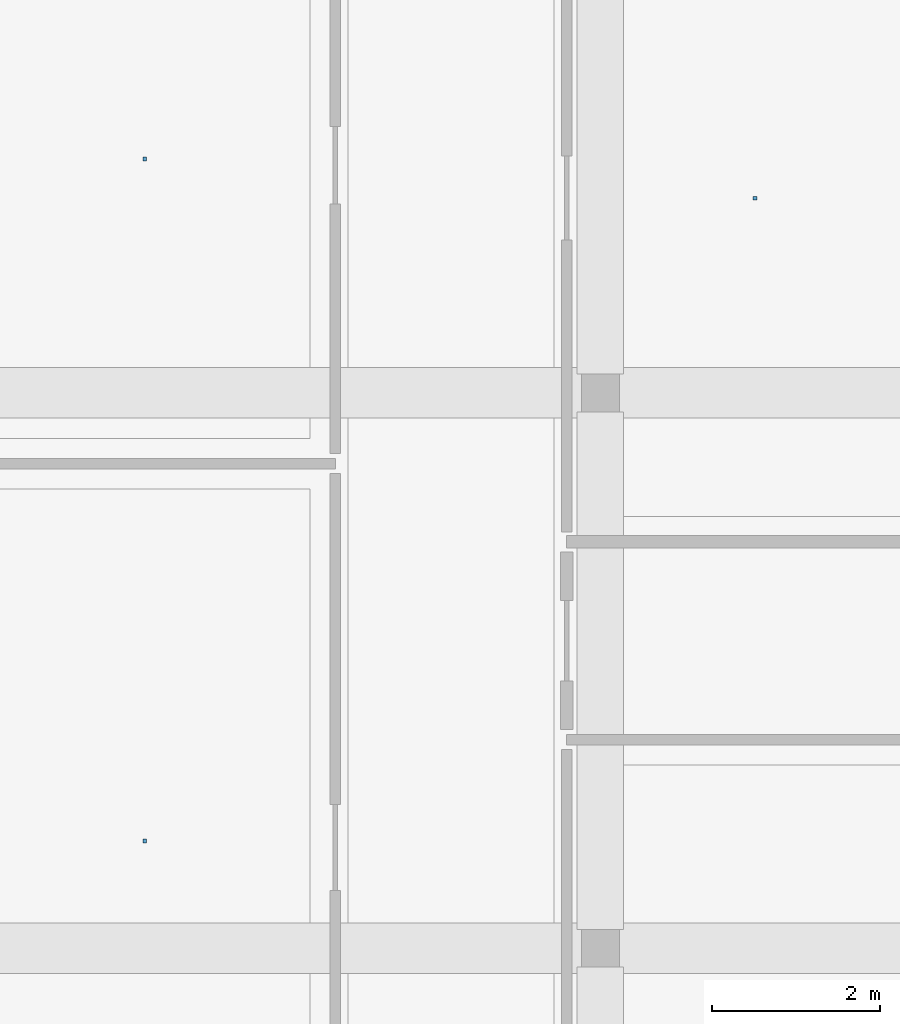
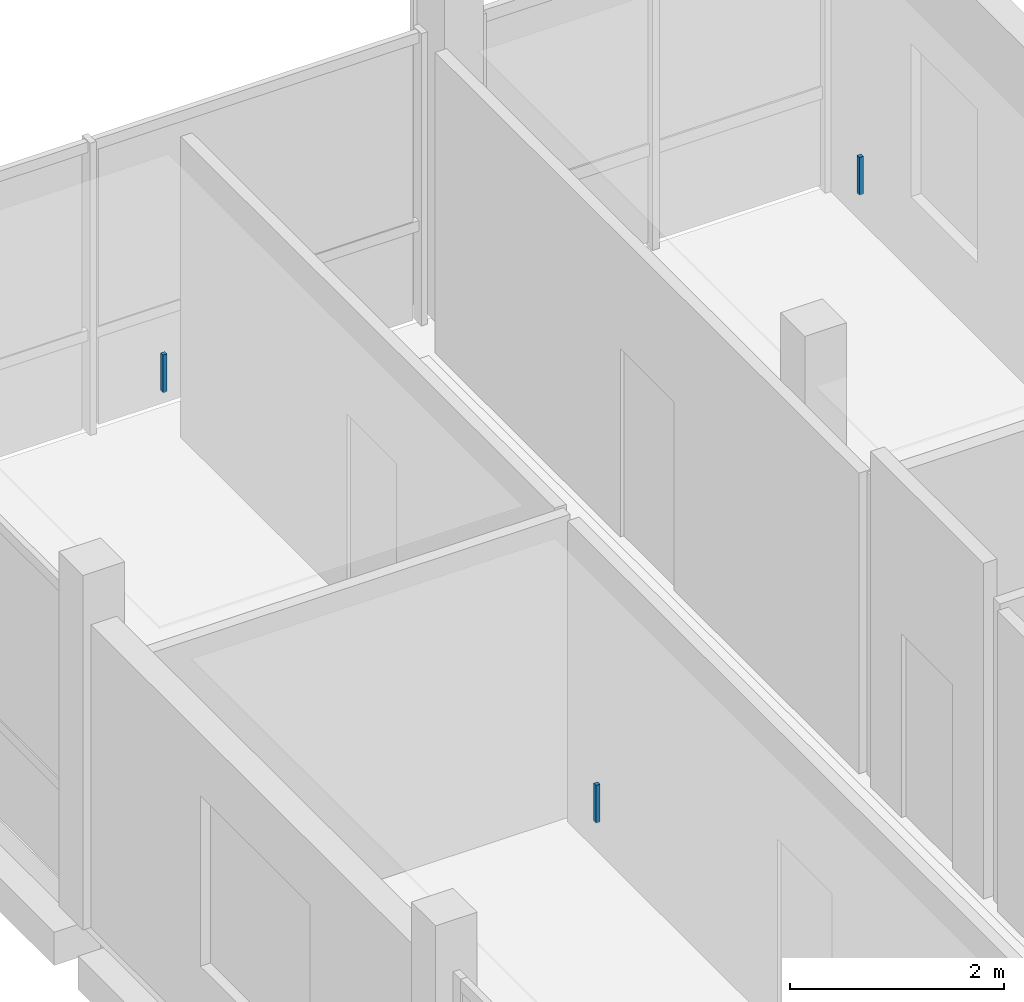
# One storey, part 40 of 48: 3 discrete accessories.
"""IFC4 building model written with IfcOpenShell, lengths in metres."""

from ifc_helpers import new_model, si_unit, derived_unit, direction, frame, origin, origin_2d, place, context, subcontext, project, spatial, rectangle, extrude, material, type_object, element, save


model = new_model("IFC4")

# Units and contexts
model_context = context("Model", 3, precision=1e-05, world=origin(), true_north=direction((0.0, 1.0)))
body_context = subcontext(model_context, "Body", "Model", "MODEL_VIEW")
ifc_project = project(units=[si_unit("LENGTHUNIT", "METRE"), si_unit("AREAUNIT", "SQUARE_METRE"), si_unit("VOLUMEUNIT", "CUBIC_METRE"), si_unit("PLANEANGLEUNIT", "RADIAN"), si_unit("MASSUNIT", "GRAM", prefix="KILO"), derived_unit("THERMALTRANSMITTANCEUNIT", [(si_unit("POWERUNIT", "WATT"), 1), (si_unit("LENGTHUNIT", "METRE"), -2), (si_unit("THERMODYNAMICTEMPERATUREUNIT", "KELVIN"), -1)])], contexts=[model_context])

# Site, building, storey
site_placement = place(None, origin())
site = spatial("IfcSite", under=ifc_project, at=site_placement, CompositionType="ELEMENT")
building_placement = place(site_placement, origin())
building = spatial("IfcBuilding", under=site, at=building_placement, Name="Braskholm Square Health Centre", CompositionType="ELEMENT")
storey_placement = place(building_placement, frame((0.0, 0.0, 17.550048828125)))
storey = spatial("IfcBuildingStorey", under=building, at=storey_placement, Name="L05", CompositionType="ELEMENT", Elevation=17.550048828125)

# Discrete accessories
ifc_material = material(Name="Steel ASTM A500 Grade C", Category="steel")
discrete_accessory_type = type_object("IfcDiscreteAccessoryType", Name="CeilingSuspensionBracket", PredefinedType="BRACKET", material=ifc_material)
for number, where, z_axis, x_axis, name in (
    (1, (158.43994140625, 109.31494140625, 3.421875), (0.0, 0.0, 1.0), (1.0, 0.0, 0.0), "Ceiling hanger bracket 0197"),
    (2, (151.18505859375, 101.675048828125, 3.421875), (0.0, 0.0, 1.0), (1.0, 0.0, 0.0), "Ceiling hanger bracket 0204"),
    (3, (151.18505859375, 109.780029296875, 3.421875), (0.0, 0.0, 1.0), (1.0, 0.0, 0.0), "Ceiling hanger bracket 0205"),
):
    element("IfcDiscreteAccessory", number, at=place(storey_placement, frame(where, z_axis=z_axis, x_axis=x_axis)), inside=storey, type_object=discrete_accessory_type, Name=name, PredefinedType="BRACKET", context=body_context, shape_type="SweptSolid", body=[
        extrude(rectangle(XDim=0.044921875, YDim=0.044921875, at=origin_2d()), origin(), (0.0, 0.0, 1.0), 0.429931640625),
    ])

save(model, "model.ifc")
